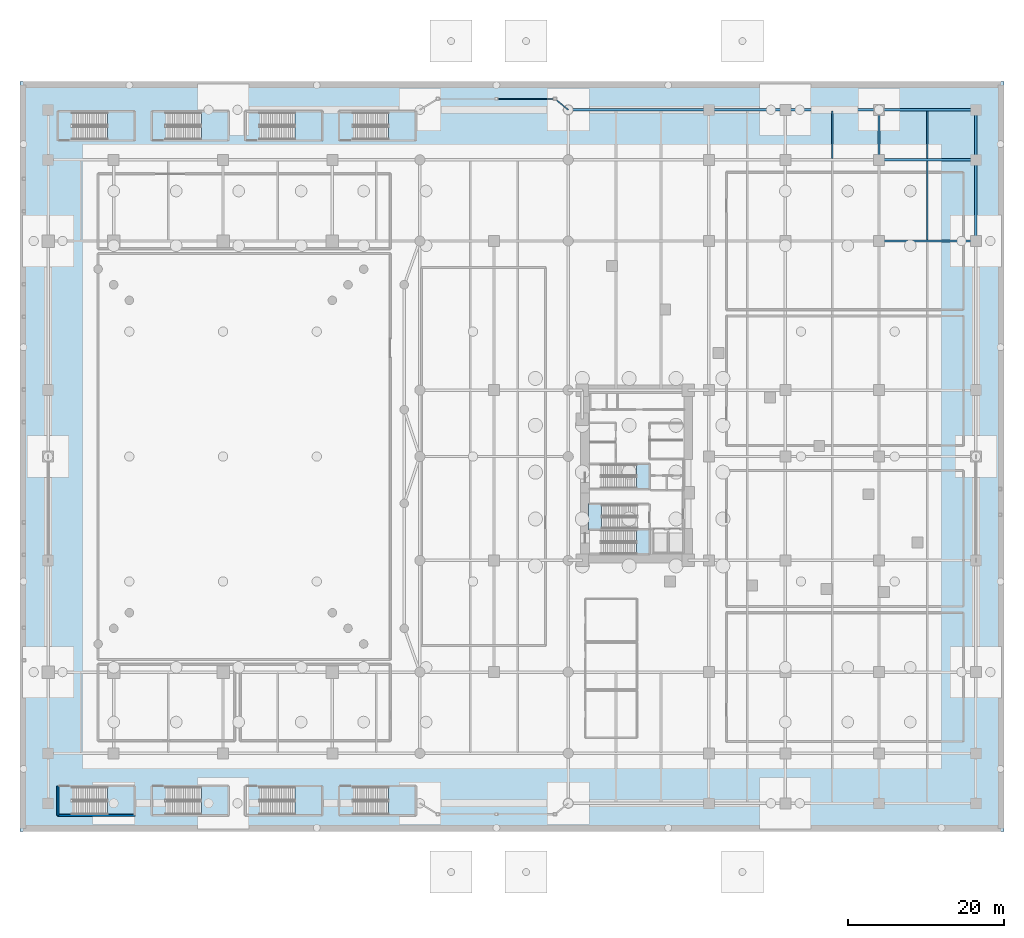
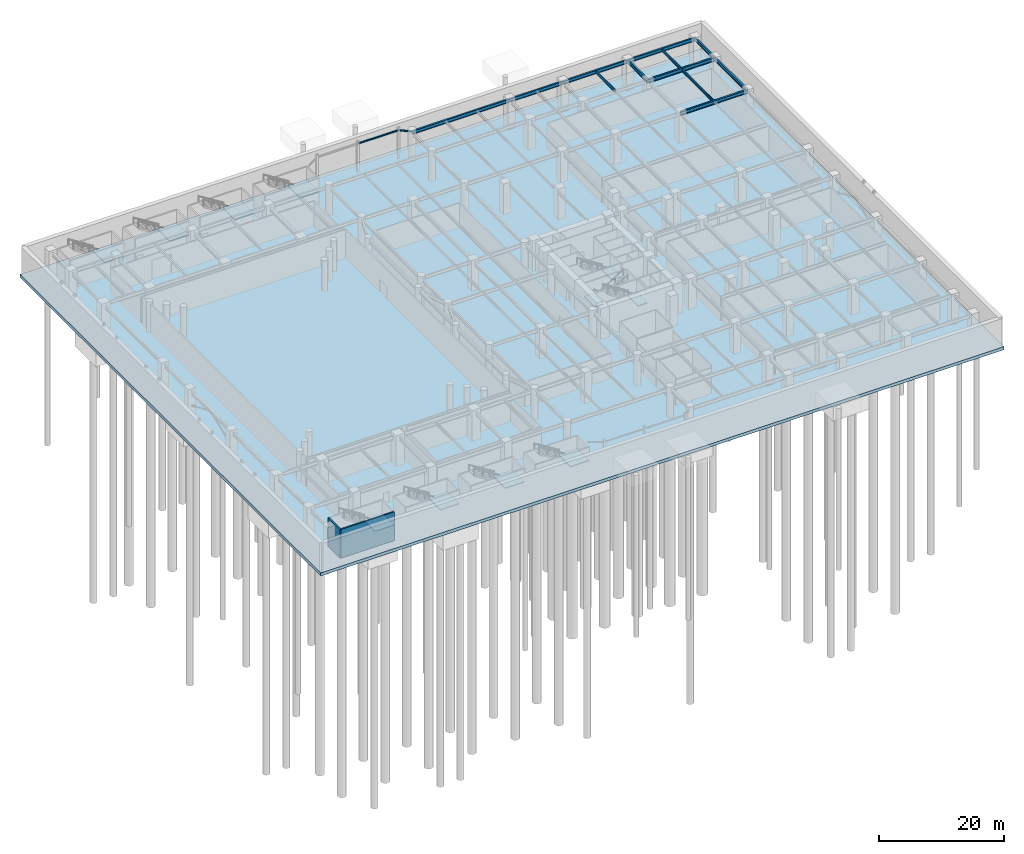
# One storey, part 15 of 37: 14 beams, 12 slabs, 2 walls, 11 elements without a shape of their own.
"""IFC4 building model written with IfcOpenShell, lengths in metres."""

from ifc_helpers import new_model, si_unit, direction, frame, frame_2d, origin, origin_2d, place, context, subcontext, project, spatial, polyline, rectangle, i_section, outline, extrude, material, layer, layer_set, material_profile, profile_set, type_object, element, aggregate, save


model = new_model("IFC4")

# Units and contexts
model_context = context("Model", 3, precision=1e-05, world=origin(), true_north=direction((0.0, 1.0)))
body_context = subcontext(model_context, "Body", "Model", "MODEL_VIEW")
ifc_project = project(units=[si_unit("LENGTHUNIT", "METRE"), si_unit("AREAUNIT", "SQUARE_METRE"), si_unit("VOLUMEUNIT", "CUBIC_METRE"), si_unit("PLANEANGLEUNIT", "RADIAN"), si_unit("MASSUNIT", "GRAM", prefix="KILO")], contexts=[model_context])

# Site, building, storey
site_placement = place(None, origin())
site = spatial("IfcSite", under=ifc_project, at=site_placement, CompositionType="ELEMENT")
building_placement = place(site_placement, origin())
building = spatial("IfcBuilding", under=site, at=building_placement, Name="Narakoshi Arena Tower", CompositionType="ELEMENT")
storey_placement = place(building_placement, frame((0.0, 0.0, -6.0)))
storey = spatial("IfcBuildingStorey", under=building, at=storey_placement, Name="B01", CompositionType="ELEMENT", Elevation=-6.0)

# Beams
ifc_material_1 = material(Name="Structural steel S355J2", Category="steel")
ifc_material_profile_1 = material_profile(ifc_material_1, i_section(OverallWidth=0.14990234375, OverallDepth=0.300048828125, WebThickness=0.007080078125, FlangeThickness=0.0107421875, FilletRadius=0.014892578125, at=origin_2d()), Name="IPE300")
ifc_profile_set_1 = profile_set([ifc_material_profile_1], Name="Structural steel S355J2")
beam_type_1 = type_object("IfcBeamType", Name="BM-CAN-300", PredefinedType="BEAM", material=ifc_profile_set_1)
beam_1_placement = place(storey_placement, frame((61.0, 93.800048828125, 5.449951171875), z_axis=(1.0, 0.0, 0.0), x_axis=(0.0, 1.0, 0.0)))
element("IfcBeam", 1, at=beam_1_placement, inside=storey, type_object=beam_type_1, Name="B01 Concourse Canopy Beam 07", PredefinedType="BEAM", context=body_context, shape_type="SweptSolid", body=[
    extrude(i_section(OverallWidth=0.14990234375, OverallDepth=0.300048828125, WebThickness=0.007080078125, FlangeThickness=0.0107421875, FilletRadius=0.014892578125, at=origin_2d()), origin(), (0.0, 0.0, 1.0), 7.5),
])
beam_2_placement = place(storey_placement, frame((68.5, 93.800048828125, 5.449951171875), z_axis=(0.771888634484, -0.635757765154, 0.0), x_axis=(0.635757765154, 0.771888634484, 0.0)))
element("IfcBeam", 2, at=beam_2_placement, inside=storey, type_object=beam_type_1, Name="B01 Concourse Canopy Beam 08", PredefinedType="BEAM", context=body_context, shape_type="SweptSolid", body=[
    extrude(i_section(OverallWidth=0.14990234375, OverallDepth=0.300048828125, WebThickness=0.007080078125, FlangeThickness=0.0107421875, FilletRadius=0.014892578125, at=origin_2d()), origin(), (0.0, 0.0, 1.0), 2.202392578125),
])
ifc_material_profile_2 = material_profile(ifc_material_1, i_section(OverallWidth=0.300048828125, OverallDepth=0.699951171875, WebThickness=0.01708984375, FlangeThickness=0.031982421875, FilletRadius=0.027099609375, at=origin_2d()), Name="HE700B")
ifc_profile_set_2 = profile_set([ifc_material_profile_2], Name="Structural steel S355J2")
beam_type_2 = type_object("IfcBeamType", Name="BM-PRI-700", PredefinedType="BEAM", material=ifc_profile_set_2)
for number, where, z_axis, x_axis, name in (
    (3, (110.0, 75.60009765625, 5.25), (1.0, 0.0, 0.0), (0.0, 1.0, 0.0), "B01 Podium Primary X-Girder 052"),
    (4, (110.0, 86.0, 5.25), (1.0, 0.0, 0.0), (0.0, 1.0, 0.0), "B01 Podium Primary X-Girder 061"),
):
    element("IfcBeam", number, at=place(storey_placement, frame(where, z_axis=z_axis, x_axis=x_axis)), inside=storey, type_object=beam_type_2, Name=name, PredefinedType="BEAM", context=body_context, shape_type="SweptSolid", body=[
        extrude(i_section(OverallWidth=0.300048828125, OverallDepth=0.699951171875, WebThickness=0.01708984375, FlangeThickness=0.031982421875, FilletRadius=0.027099609375, at=origin_2d()), origin(), (0.0, 0.0, 1.0), 12.39990234375),
    ])
beam_3_placement = place(storey_placement, frame((70.199951171875, 92.39990234375, 5.25), z_axis=(1.0, 0.0, 0.0), x_axis=(0.0, 1.0, 0.0)))
element("IfcBeam", 5, at=beam_3_placement, inside=storey, type_object=beam_type_2, Name="B01 Podium Primary X-Girder 062", PredefinedType="BEAM", context=body_context, shape_type="SweptSolid", body=[
    extrude(i_section(OverallWidth=0.300048828125, OverallDepth=0.699951171875, WebThickness=0.01708984375, FlangeThickness=0.031982421875, FilletRadius=0.027099609375, at=origin_2d()), origin(), (0.0, 0.0, 1.0), 18.0),
])
beam_4_placement = place(storey_placement, frame((88.199951171875, 92.39990234375, 5.25), z_axis=(1.0, 0.0, 0.0), x_axis=(0.0, 1.0, 0.0)))
element("IfcBeam", 6, at=beam_4_placement, inside=storey, type_object=beam_type_2, Name="B01 Podium Primary X-Girder 063", PredefinedType="BEAM", context=body_context, shape_type="SweptSolid", body=[
    extrude(i_section(OverallWidth=0.300048828125, OverallDepth=0.699951171875, WebThickness=0.01708984375, FlangeThickness=0.031982421875, FilletRadius=0.027099609375, at=origin_2d()), origin(), (0.0, 0.0, 1.0), 9.800048828125),
])
beam_5_placement = place(storey_placement, frame((98.0, 92.39990234375, 5.25), z_axis=(1.0, 0.0, 0.0), x_axis=(0.0, 1.0, 0.0)))
element("IfcBeam", 7, at=beam_5_placement, inside=storey, type_object=beam_type_2, Name="B01 Podium Primary X-Girder 064", PredefinedType="BEAM", context=body_context, shape_type="SweptSolid", body=[
    extrude(i_section(OverallWidth=0.300048828125, OverallDepth=0.699951171875, WebThickness=0.01708984375, FlangeThickness=0.031982421875, FilletRadius=0.027099609375, at=origin_2d()), origin(), (0.0, 0.0, 1.0), 12.0),
])
beam_6_placement = place(storey_placement, frame((110.0, 92.39990234375, 5.25), z_axis=(1.0, 0.0, 0.0), x_axis=(0.0, 1.0, 0.0)))
element("IfcBeam", 8, at=beam_6_placement, inside=storey, type_object=beam_type_2, Name="B01 Podium Primary X-Girder 065", PredefinedType="BEAM", context=body_context, shape_type="SweptSolid", body=[
    extrude(i_section(OverallWidth=0.300048828125, OverallDepth=0.699951171875, WebThickness=0.01708984375, FlangeThickness=0.031982421875, FilletRadius=0.027099609375, at=origin_2d()), origin(), (0.0, 0.0, 1.0), 12.39990234375),
])
beam_7_placement = place(storey_placement, frame((110.0, 86.0, 5.25), z_axis=(0.0, 1.0, 0.0), x_axis=(-1.0, 0.0, 0.0)))
element("IfcBeam", 9, at=beam_7_placement, inside=storey, type_object=beam_type_2, Name="B01 Podium Primary Y-Girder 121", PredefinedType="BEAM", context=body_context, shape_type="SweptSolid", body=[
    extrude(i_section(OverallWidth=0.300048828125, OverallDepth=0.699951171875, WebThickness=0.01708984375, FlangeThickness=0.031982421875, FilletRadius=0.027099609375, at=origin_2d()), origin(), (0.0, 0.0, 1.0), 6.39990234375),
])
beam_8_placement = place(storey_placement, frame((122.39990234375, 75.60009765625, 5.25), z_axis=(0.0, 1.0, 0.0), x_axis=(-1.0, 0.0, 0.0)))
element("IfcBeam", 10, at=beam_8_placement, inside=storey, type_object=beam_type_2, Name="B01 Podium Primary Y-Girder 128", PredefinedType="BEAM", context=body_context, shape_type="SweptSolid", body=[
    extrude(i_section(OverallWidth=0.300048828125, OverallDepth=0.699951171875, WebThickness=0.01708984375, FlangeThickness=0.031982421875, FilletRadius=0.027099609375, at=origin_2d()), origin(), (0.0, 0.0, 1.0), 10.39990234375),
])
beam_9_placement = place(storey_placement, frame((122.39990234375, 86.0, 5.25), z_axis=(0.0, 1.0, 0.0), x_axis=(-1.0, 0.0, 0.0)))
element("IfcBeam", 11, at=beam_9_placement, inside=storey, type_object=beam_type_2, Name="B01 Podium Primary Y-Girder 129", PredefinedType="BEAM", context=body_context, shape_type="SweptSolid", body=[
    extrude(i_section(OverallWidth=0.300048828125, OverallDepth=0.699951171875, WebThickness=0.01708984375, FlangeThickness=0.031982421875, FilletRadius=0.027099609375, at=origin_2d()), origin(), (0.0, 0.0, 1.0), 6.39990234375),
])
ifc_material_profile_3 = material_profile(ifc_material_1, i_section(OverallWidth=0.199951171875, OverallDepth=0.5, WebThickness=0.01025390625, FlangeThickness=0.01611328125, FilletRadius=0.02099609375, at=origin_2d()), Name="IPE500")
ifc_profile_set_3 = profile_set([ifc_material_profile_3], Name="Structural steel S355J2")
beam_type_3 = type_object("IfcBeamType", Name="BM-SEC-500", PredefinedType="JOIST", material=ifc_profile_set_3)
beam_10_placement = place(storey_placement, frame((104.0, 86.135009765625, 5.35009765625), z_axis=(0.0, 1.0, 0.0), x_axis=(-1.0, 0.0, 0.0)))
element("IfcBeam", 12, at=beam_10_placement, inside=storey, type_object=beam_type_3, Name="B01 Podium Composite Floor Joist 046", PredefinedType="JOIST", context=body_context, shape_type="SweptSolid", body=[
    extrude(i_section(OverallWidth=0.199951171875, OverallDepth=0.5, WebThickness=0.01025390625, FlangeThickness=0.01611328125, FilletRadius=0.02099609375, at=origin_2d()), origin(), (0.0, 0.0, 1.0), 6.1298828125),
])
beam_11_placement = place(storey_placement, frame((116.199951171875, 75.735107421875, 5.35009765625), z_axis=(0.0, 1.0, 0.0), x_axis=(-1.0, 0.0, 0.0)))
element("IfcBeam", 13, at=beam_11_placement, inside=storey, type_object=beam_type_3, Name="B01 Podium Composite Floor Joist 053", PredefinedType="JOIST", context=body_context, shape_type="SweptSolid", body=[
    extrude(i_section(OverallWidth=0.199951171875, OverallDepth=0.5, WebThickness=0.01025390625, FlangeThickness=0.01611328125, FilletRadius=0.02099609375, at=origin_2d()), origin(), (0.0, 0.0, 1.0), 10.1298828125),
])
beam_12_placement = place(storey_placement, frame((116.199951171875, 86.135009765625, 5.35009765625), z_axis=(0.0, 1.0, 0.0), x_axis=(-1.0, 0.0, 0.0)))
element("IfcBeam", 14, at=beam_12_placement, inside=storey, type_object=beam_type_3, Name="B01 Podium Composite Floor Joist 054", PredefinedType="JOIST", context=body_context, shape_type="SweptSolid", body=[
    extrude(i_section(OverallWidth=0.199951171875, OverallDepth=0.5, WebThickness=0.01025390625, FlangeThickness=0.01611328125, FilletRadius=0.02099609375, at=origin_2d()), origin(), (0.0, 0.0, 1.0), 6.1298828125),
])

# Slab
ifc_material_2 = material(Name="Concrete C45/55", Category="concrete")
ifc_layer_1 = layer(ifc_material_2, 0.60009765625)
ifc_layer_set_1 = layer_set([ifc_layer_1], Name="Concrete C45/55")
slab_type_1 = type_object("IfcSlabType", Name="SLB-BASE-600", PredefinedType="BASESLAB", material=ifc_layer_set_1)
slab_1_placement = place(storey_placement, frame((0.0, 0.0, -0.60009765625)))
element("IfcSlab", 15, at=slab_1_placement, inside=storey, type_object=slab_type_1, Name="B01 Structural Tanked Base Slab", PredefinedType="BASESLAB", context=body_context, shape_type="SweptSolid", body=[
    extrude(outline(polyline([(0.0, 0.0), (126.0, 0.0), (126.0, 96.0), (0.0, 96.0), (0.0, 0.0)])), origin(), (0.0, 0.0, 1.0), 0.60009765625),
])

# Stair, slab
stair_type_1 = type_object("IfcStairType", Name="STR-B01-600", PredefinedType="TWO_STRAIGHT_RUN_STAIR", material=ifc_material_2)
stair_1_placement = place(storey_placement, origin())
stair_1 = element("IfcStair", 16, at=stair_1_placement, inside=storey, type_object=stair_type_1, Name="B01 Core Escape Stair ST1", PredefinedType="TWO_STRAIGHT_RUN_STAIR")
ifc_layer_2 = layer(ifc_material_2, 0.18994140625)
ifc_layer_set_2 = layer_set([ifc_layer_2], Name="Concrete C45/55")
slab_type_2 = type_object("IfcSlabType", Name="SLB-LND-190", PredefinedType="LANDING", material=ifc_layer_set_2)
slab_2_placement = place(storey_placement, frame((0.0, 0.0, 2.81005859375)))
slab_2 = element("IfcSlab", 17, at=slab_2_placement, type_object=slab_type_2, Name="ST1 landing 1", PredefinedType="LANDING", context=body_context, shape_type="SweptSolid", body=[
    extrude(outline(polyline([(78.9599609375, 35.3701171875), (80.679931640625, 35.3701171875), (80.679931640625, 38.72998046875), (78.9599609375, 38.72998046875), (78.9599609375, 35.3701171875)])), origin(), (0.0, 0.0, 1.0), 0.18994140625),
])
aggregate(stair_1, [slab_2])

stair_2_placement = place(storey_placement, origin())
stair_2 = element("IfcStair", 18, at=stair_2_placement, inside=storey, type_object=stair_type_1, Name="B01 Core Escape Stair ST2", PredefinedType="TWO_STRAIGHT_RUN_STAIR")
slab_3_placement = place(storey_placement, frame((0.0, 0.0, 2.81005859375)))
slab_3 = element("IfcSlab", 19, at=slab_3_placement, type_object=slab_type_2, Name="ST2 landing 1", PredefinedType="LANDING", context=body_context, shape_type="SweptSolid", body=[
    extrude(outline(polyline([(72.77001953125, 38.6201171875), (74.489990234375, 38.6201171875), (74.489990234375, 41.97998046875), (72.77001953125, 41.97998046875), (72.77001953125, 38.6201171875)])), origin(), (0.0, 0.0, 1.0), 0.18994140625),
])
aggregate(stair_2, [slab_3])

stair_3_placement = place(storey_placement, origin())
stair_3 = element("IfcStair", 20, at=stair_3_placement, inside=storey, type_object=stair_type_1, Name="B01 Core Escape Stair ST3", PredefinedType="TWO_STRAIGHT_RUN_STAIR")
slab_4_placement = place(storey_placement, frame((0.0, 0.0, 2.81005859375)))
slab_4 = element("IfcSlab", 21, at=slab_4_placement, type_object=slab_type_2, Name="ST3 landing 1", PredefinedType="LANDING", context=body_context, shape_type="SweptSolid", body=[
    extrude(outline(polyline([(78.9599609375, 43.77001953125), (80.679931640625, 43.77001953125), (80.679931640625, 47.1298828125), (78.9599609375, 47.1298828125), (78.9599609375, 43.77001953125)])), origin(), (0.0, 0.0, 1.0), 0.18994140625),
])
aggregate(stair_3, [slab_4])

stair_type_2 = type_object("IfcStairType", Name="STR-ARN-2400", PredefinedType="TWO_STRAIGHT_RUN_STAIR", material=ifc_material_2)
stair_4_placement = place(storey_placement, origin())
stair_4 = element("IfcStair", 22, at=stair_4_placement, inside=storey, type_object=stair_type_2, Name="B01 Arena Crowd Escape Stair AST1", PredefinedType="TWO_STRAIGHT_RUN_STAIR")
slab_5_placement = place(storey_placement, frame((0.0, 0.0, 2.81005859375)))
slab_5 = element("IfcSlab", 23, at=slab_5_placement, type_object=slab_type_2, Name="AST1 landing 1", PredefinedType="LANDING", context=body_context, shape_type="SweptSolid", body=[
    extrude(outline(polyline([(11.2099609375, 2.02001953125), (14.72998046875, 2.02001953125), (14.72998046875, 5.830078125), (11.2099609375, 5.830078125), (11.2099609375, 2.02001953125)])), origin(), (0.0, 0.0, 1.0), 0.18994140625),
])
aggregate(stair_4, [slab_5])

stair_5_placement = place(storey_placement, origin())
stair_5 = element("IfcStair", 24, at=stair_5_placement, inside=storey, type_object=stair_type_2, Name="B01 Arena Crowd Escape Stair AST2", PredefinedType="TWO_STRAIGHT_RUN_STAIR")
slab_6_placement = place(storey_placement, frame((0.0, 0.0, 2.81005859375)))
slab_6 = element("IfcSlab", 25, at=slab_6_placement, type_object=slab_type_2, Name="AST2 landing 1", PredefinedType="LANDING", context=body_context, shape_type="SweptSolid", body=[
    extrude(outline(polyline([(23.2099609375, 2.02001953125), (26.72998046875, 2.02001953125), (26.72998046875, 5.830078125), (23.2099609375, 5.830078125), (23.2099609375, 2.02001953125)])), origin(), (0.0, 0.0, 1.0), 0.18994140625),
])
aggregate(stair_5, [slab_6])

stair_6_placement = place(storey_placement, origin())
stair_6 = element("IfcStair", 26, at=stair_6_placement, inside=storey, type_object=stair_type_2, Name="B01 Arena Crowd Escape Stair AST3", PredefinedType="TWO_STRAIGHT_RUN_STAIR")
slab_7_placement = place(storey_placement, frame((0.0, 0.0, 2.81005859375)))
slab_7 = element("IfcSlab", 27, at=slab_7_placement, type_object=slab_type_2, Name="AST3 landing 1", PredefinedType="LANDING", context=body_context, shape_type="SweptSolid", body=[
    extrude(outline(polyline([(35.2099609375, 2.02001953125), (38.72998046875, 2.02001953125), (38.72998046875, 5.830078125), (35.2099609375, 5.830078125), (35.2099609375, 2.02001953125)])), origin(), (0.0, 0.0, 1.0), 0.18994140625),
])
aggregate(stair_6, [slab_7])

stair_7_placement = place(storey_placement, origin())
stair_7 = element("IfcStair", 28, at=stair_7_placement, inside=storey, type_object=stair_type_2, Name="B01 Arena Crowd Escape Stair AST4", PredefinedType="TWO_STRAIGHT_RUN_STAIR")
slab_8_placement = place(storey_placement, frame((0.0, 0.0, 2.81005859375)))
slab_8 = element("IfcSlab", 29, at=slab_8_placement, type_object=slab_type_2, Name="AST4 landing 1", PredefinedType="LANDING", context=body_context, shape_type="SweptSolid", body=[
    extrude(outline(polyline([(47.2099609375, 2.02001953125), (50.72998046875, 2.02001953125), (50.72998046875, 5.830078125), (47.2099609375, 5.830078125), (47.2099609375, 2.02001953125)])), origin(), (0.0, 0.0, 1.0), 0.18994140625),
])
aggregate(stair_7, [slab_8])

stair_8_placement = place(storey_placement, origin())
stair_8 = element("IfcStair", 30, at=stair_8_placement, inside=storey, type_object=stair_type_2, Name="B01 Arena Crowd Escape Stair AST5", PredefinedType="TWO_STRAIGHT_RUN_STAIR")
slab_9_placement = place(storey_placement, frame((0.0, 0.0, 2.81005859375)))
slab_9 = element("IfcSlab", 31, at=slab_9_placement, type_object=slab_type_2, Name="AST5 landing 1", PredefinedType="LANDING", context=body_context, shape_type="SweptSolid", body=[
    extrude(outline(polyline([(11.2099609375, 88.419921875), (14.72998046875, 88.419921875), (14.72998046875, 92.22998046875), (11.2099609375, 92.22998046875), (11.2099609375, 88.419921875)])), origin(), (0.0, 0.0, 1.0), 0.18994140625),
])
aggregate(stair_8, [slab_9])

stair_9_placement = place(storey_placement, origin())
stair_9 = element("IfcStair", 32, at=stair_9_placement, inside=storey, type_object=stair_type_2, Name="B01 Arena Crowd Escape Stair AST6", PredefinedType="TWO_STRAIGHT_RUN_STAIR")
slab_10_placement = place(storey_placement, frame((0.0, 0.0, 2.81005859375)))
slab_10 = element("IfcSlab", 33, at=slab_10_placement, type_object=slab_type_2, Name="AST6 landing 1", PredefinedType="LANDING", context=body_context, shape_type="SweptSolid", body=[
    extrude(outline(polyline([(23.2099609375, 88.419921875), (26.72998046875, 88.419921875), (26.72998046875, 92.22998046875), (23.2099609375, 92.22998046875), (23.2099609375, 88.419921875)])), origin(), (0.0, 0.0, 1.0), 0.18994140625),
])
aggregate(stair_9, [slab_10])

stair_10_placement = place(storey_placement, origin())
stair_10 = element("IfcStair", 34, at=stair_10_placement, inside=storey, type_object=stair_type_2, Name="B01 Arena Crowd Escape Stair AST7", PredefinedType="TWO_STRAIGHT_RUN_STAIR")
slab_11_placement = place(storey_placement, frame((0.0, 0.0, 2.81005859375)))
slab_11 = element("IfcSlab", 35, at=slab_11_placement, type_object=slab_type_2, Name="AST7 landing 1", PredefinedType="LANDING", context=body_context, shape_type="SweptSolid", body=[
    extrude(outline(polyline([(35.2099609375, 88.419921875), (38.72998046875, 88.419921875), (38.72998046875, 92.22998046875), (35.2099609375, 92.22998046875), (35.2099609375, 88.419921875)])), origin(), (0.0, 0.0, 1.0), 0.18994140625),
])
aggregate(stair_10, [slab_11])

stair_11_placement = place(storey_placement, origin())
stair_11 = element("IfcStair", 36, at=stair_11_placement, inside=storey, type_object=stair_type_2, Name="B01 Arena Crowd Escape Stair AST8", PredefinedType="TWO_STRAIGHT_RUN_STAIR")
slab_12_placement = place(storey_placement, frame((0.0, 0.0, 2.81005859375)))
slab_12 = element("IfcSlab", 37, at=slab_12_placement, type_object=slab_type_2, Name="AST8 landing 1", PredefinedType="LANDING", context=body_context, shape_type="SweptSolid", body=[
    extrude(outline(polyline([(47.2099609375, 88.419921875), (50.72998046875, 88.419921875), (50.72998046875, 92.22998046875), (47.2099609375, 92.22998046875), (47.2099609375, 88.419921875)])), origin(), (0.0, 0.0, 1.0), 0.18994140625),
])
aggregate(stair_11, [slab_12])

# Walls
ifc_material_3 = material(Name="Concrete C50/60", Category="concrete")
ifc_layer_3 = layer(ifc_material_3, 0.35009765625)
ifc_layer_set_3 = layer_set([ifc_layer_3], Name="Concrete C50/60")
wall_type = type_object("IfcWallType", Name="WL-SHAFT-350", PredefinedType="SOLIDWALL", material=ifc_layer_set_3)
wall_1_placement = place(storey_placement, frame((4.85009765625, 2.050048828125, -0.60009765625), z_axis=(0.0, 0.0, 1.0), x_axis=(0.0, 1.0, 0.0)))
element("IfcWall", 38, at=wall_1_placement, inside=storey, type_object=wall_type, Name="B01 AST1 Enclosure Wall W", PredefinedType="SOLIDWALL", context=body_context, shape_type="SweptSolid", body=[
    extrude(rectangle(XDim=3.75, YDim=0.25, at=frame_2d((1.875, 0.0))), origin(), (0.0, 0.0, 1.0), 6.2001953125),
])
wall_2_placement = place(storey_placement, frame((4.85009765625, 2.050048828125, -0.60009765625), z_axis=(0.0, 0.0, 1.0), x_axis=(1.0, 0.0, 0.0)))
element("IfcWall", 39, at=wall_2_placement, inside=storey, type_object=wall_type, Name="B01 AST1 Enclosure Wall B", PredefinedType="SOLIDWALL", context=body_context, shape_type="SweptSolid", body=[
    extrude(rectangle(XDim=9.849853515625, YDim=0.25, at=frame_2d((4.9248046875, 0.0))), origin(), (0.0, 0.0, 1.0), 6.2001953125),
])

save(model, "model.ifc")
